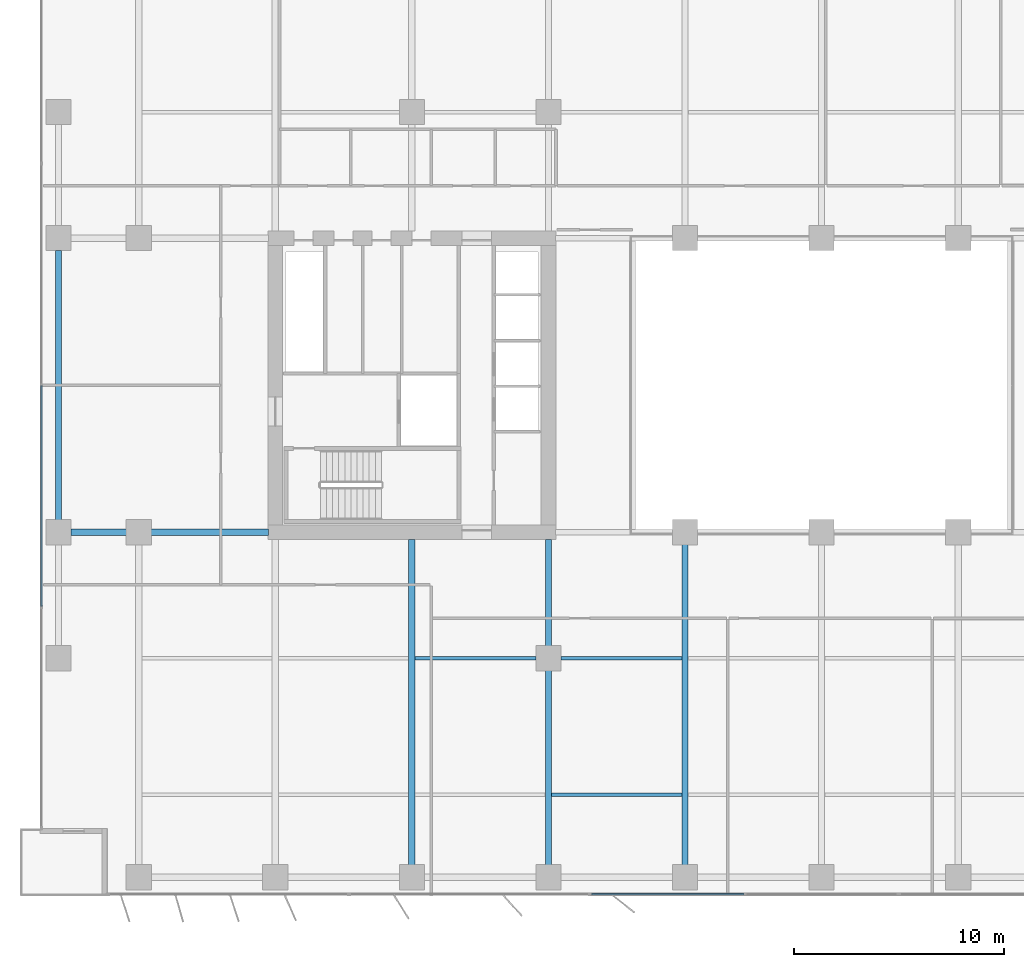
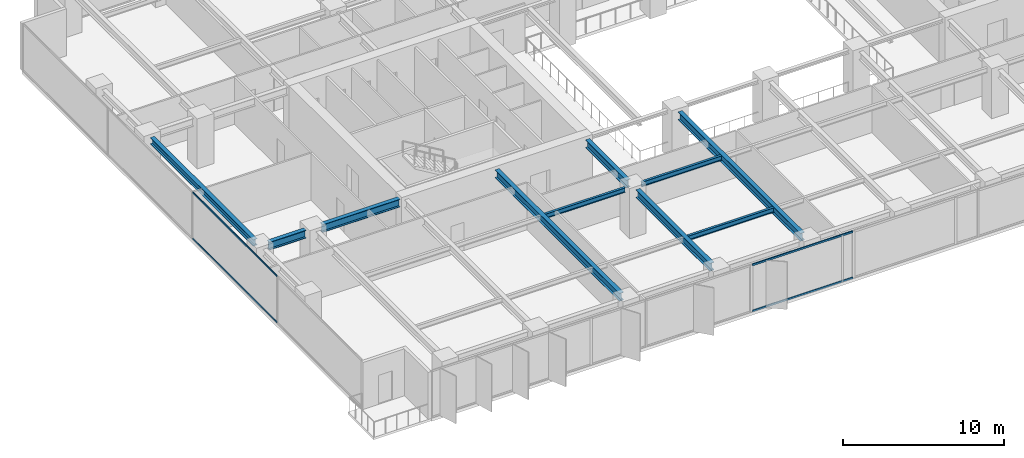
# One storey, part 3 of 20: 10 beams, 4 members, 2 elements without a shape of their own.
"""IFC4 building model written with IfcOpenShell, lengths in metres."""

import ifcopenshell
import ifcopenshell.guid

model = None  # the IFC model being written
_history = None  # IfcOwnerHistory: only IFC2X3 demands one
_inside = {}  # id of a spatial element -> (the spatial element, [elements in it])
_under = {}  # id of a project, library or spatial element -> (it, [spatial elements below it])
_declared = {}  # id of a project -> (the project, [libraries it declares])
_typed = {}  # id of a type object -> (the type object, [elements of that type])
_made_of = {}  # id of a material, layer set ... -> (it, [elements and type objects made of it])


def new_model(schema):
    """Start an empty IFC model of exactly this schema.

    Asked for "IFC4X3", IfcOpenShell would pick the latest addendum, in which some entities
    have other attributes; the version numbers below select the first issue.
    IFC2X3 requires an IfcOwnerHistory on every rooted entity: one is made here for all.
    """
    global model, _history
    if schema == "IFC4X3":
        model = ifcopenshell.file(schema_version=(4, 3, 0, 0))
    else:
        model = ifcopenshell.file(schema=schema)
    _inside.clear()
    _under.clear()
    _declared.clear()
    _typed.clear()
    _made_of.clear()
    _history = None
    if model.schema == "IFC2X3":
        org = make("IfcOrganization", Name="unknown")
        user = make(
            "IfcPersonAndOrganization",
            ThePerson=make("IfcPerson", FamilyName="unknown"),
            TheOrganization=org,
        )
        app = make(
            "IfcApplication",
            ApplicationDeveloper=org,
            Version="unknown",
            ApplicationFullName="unknown",
            ApplicationIdentifier="unknown",
        )
        _history = make(
            "IfcOwnerHistory",
            OwningUser=user,
            OwningApplication=app,
            ChangeAction="ADDED",
            CreationDate=0,
        )
    return model


def make(cls, **values):
    """One entity of the class cls with the attributes given. An attribute that is None is left unset."""
    return model.create_entity(
        cls, **{name: value for name, value in values.items() if value is not None}
    )


def rooted(cls, **values):
    """An entity with a GlobalId (a new one), such as an element, a storey or a relation."""
    return make(cls, GlobalId=ifcopenshell.guid.new(), OwnerHistory=_history, **values)


def si_unit(unit_type, name, prefix=None):
    """IfcSIUnit, for example si_unit("LENGTHUNIT", "METRE", prefix="MILLI")."""
    return make("IfcSIUnit", UnitType=unit_type, Prefix=prefix, Name=name)


def assignment(units):
    """IfcUnitAssignment: the units of a project."""
    return None if units is None else make("IfcUnitAssignment", Units=units)


def point(xyz):
    """IfcCartesianPoint."""
    return None if xyz is None else make("IfcCartesianPoint", Coordinates=xyz)


def direction(xyz):
    """IfcDirection."""
    return None if xyz is None else make("IfcDirection", DirectionRatios=xyz)


def frame(location, z_axis=None, x_axis=None):
    """IfcAxis2Placement3D, a coordinate frame: its origin and axes. An axis left out is left unset."""
    return make(
        "IfcAxis2Placement3D",
        Location=point(location),
        Axis=direction(z_axis),
        RefDirection=direction(x_axis),
    )


def frame_2d(location, x_axis=None):
    """IfcAxis2Placement2D, a coordinate frame in the plane: its origin and x axis."""
    return make(
        "IfcAxis2Placement2D", Location=point(location), RefDirection=direction(x_axis)
    )


def origin():
    """The frame at (0, 0, 0) with its axes left unset."""
    return frame((0.0, 0.0, 0.0))


def origin_2d():
    """The frame at (0, 0) in the plane with its x axis left unset."""
    return frame_2d((0.0, 0.0))


def place(relative_to, where):
    """IfcLocalPlacement: puts the frame where relative to a parent placement (None: the world)."""
    return make(
        "IfcLocalPlacement", PlacementRelTo=relative_to, RelativePlacement=where
    )


def context(
    kind, dimensions, precision=None, world=None, true_north=None, identifier=None
):
    """IfcGeometricRepresentationContext, for example the 3D "Model" context."""
    return make(
        "IfcGeometricRepresentationContext",
        ContextIdentifier=identifier,
        ContextType=kind,
        CoordinateSpaceDimension=dimensions,
        Precision=precision,
        WorldCoordinateSystem=world,
        TrueNorth=true_north,
    )


def subcontext(parent, identifier, kind, view, scale=None):
    """IfcGeometricRepresentationSubContext, for example "Body" below "Model"."""
    return make(
        "IfcGeometricRepresentationSubContext",
        ContextIdentifier=identifier,
        ContextType=kind,
        ParentContext=parent,
        TargetScale=scale,
        TargetView=view,
    )


def project(units=None, contexts=None):
    """IfcProject with its units and contexts."""
    return rooted(
        "IfcProject",
        Name="project",
        RepresentationContexts=contexts,
        UnitsInContext=assignment(units),
    )


def spatial(cls, under=None, at=None, **own):
    """A site, building, storey or space (cls), placed at a placement, below another one or the project."""
    s = rooted(cls, ObjectPlacement=at, **own)
    if under is not None:
        _under.setdefault(under.id(), (under, []))[1].append(s)
    return s


def profile(cls, at=None, kind="AREA", **sizes):
    """A parametric profile (cls). Its sizes go by their IFC names, for example OverallWidth=200.0."""
    return make(cls, ProfileType=kind, Position=at, **sizes)


def rectangle(**sizes):
    """IfcRectangleProfileDef."""
    return profile("IfcRectangleProfileDef", **sizes)


def i_section(**sizes):
    """IfcIShapeProfileDef."""
    return profile("IfcIShapeProfileDef", **sizes)


def extrude(swept, where, along, depth):
    """IfcExtrudedAreaSolid: the profile swept, set in the frame where, extruded along a direction by depth."""
    return make(
        "IfcExtrudedAreaSolid",
        SweptArea=swept,
        Position=where,
        ExtrudedDirection=direction(along),
        Depth=depth,
    )


def shape(context_of_items, identifier, shape_type, items):
    """IfcShapeRepresentation: the items that make up one representation, for example the "Body"."""
    return make(
        "IfcShapeRepresentation",
        ContextOfItems=context_of_items,
        RepresentationIdentifier=identifier,
        RepresentationType=shape_type,
        Items=items,
    )


def material(Name=None, Category=None):
    """IfcMaterial."""
    return make("IfcMaterial", Name=Name, Category=Category)


def layer(
    of_material, thickness, ventilated=None, Name=None, Category=None, Priority=None
):
    """IfcMaterialLayer: one layer of a wall or slab, of a material (None: an air gap)."""
    return make(
        "IfcMaterialLayer",
        Material=of_material,
        LayerThickness=thickness,
        IsVentilated=ventilated,
        Name=Name,
        Category=Category,
        Priority=Priority,
    )


def layer_set(layers, Name=None):
    """IfcMaterialLayerSet."""
    return make("IfcMaterialLayerSet", MaterialLayers=layers, LayerSetName=Name)


def material_profile(
    of_material, cross_section, Name=None, Category=None, Priority=None
):
    """IfcMaterialProfile: a cross section and its material."""
    return make(
        "IfcMaterialProfile",
        Name=Name,
        Material=of_material,
        Profile=cross_section,
        Priority=Priority,
        Category=Category,
    )


def profile_set(profiles, Name=None, composite=None):
    """IfcMaterialProfileSet."""
    return make(
        "IfcMaterialProfileSet",
        Name=Name,
        MaterialProfiles=profiles,
        CompositeProfile=composite,
    )


def made_of(thing, what):
    """Note that an element or type object is made of a material, layer set ...; save() writes the relation."""
    if what is not None:
        _made_of.setdefault(what.id(), (what, []))[1].append(thing)
    return thing


def type_object(cls, material=None, **own):
    """A type object (cls), such as IfcWallType, which elements share."""
    return made_of(rooted(cls, **own), material)


def element(
    cls,
    number,
    at=None,
    inside=None,
    cuts=None,
    type_object=None,
    material=None,
    context=None,
    identifier="Body",
    shape_type=None,
    held_by="IfcProductDefinitionShape",
    body=None,
    shapes=None,
    **own,
):
    """One element of the class cls, such as IfcWall. Its Tag is "e" and its number.

    at: its placement. inside: the storey or other place that contains it. cuts: it is an
    opening in that element (IfcRelVoidsElement). A single representation is given by context,
    identifier, shape_type and body (its items); several are given by shapes. held_by: the class
    of the entity that holds the representations. save() writes the other relations.
    """
    e = rooted(cls, Tag="e%d" % number, ObjectPlacement=at, **own)
    if body is not None:
        shapes = [shape(context, identifier, shape_type, body)]
    if shapes is not None:
        e.Representation = make(held_by, Representations=shapes)
    if inside is not None:
        _inside.setdefault(inside.id(), (inside, []))[1].append(e)
    if cuts is not None:
        rooted(
            "IfcRelVoidsElement", RelatingBuildingElement=cuts, RelatedOpeningElement=e
        )
    if type_object is not None:
        _typed.setdefault(type_object.id(), (type_object, []))[1].append(e)
    return made_of(e, material)


def aggregate(whole, parts):
    """IfcRelAggregates: a whole, such as a stair, and the parts it consists of."""
    return rooted("IfcRelAggregates", RelatingObject=whole, RelatedObjects=parts)


def save(model, path):
    """Write the relations noted so far, then the file.

    IfcRelAggregates (storeys below a building ...), IfcRelContainedInSpatialStructure (elements
    in a storey), IfcRelDefinesByType, IfcRelAssociatesMaterial and IfcRelDeclares: one each for
    every whole, place, type object, material and project.
    """
    for whole, parts in _under.values():
        aggregate(whole, parts)
    for where, things in _inside.values():
        rooted(
            "IfcRelContainedInSpatialStructure",
            RelatedElements=things,
            RelatingStructure=where,
        )
    for kind, things in _typed.values():
        rooted("IfcRelDefinesByType", RelatedObjects=things, RelatingType=kind)
    for what, things in _made_of.values():
        rooted("IfcRelAssociatesMaterial", RelatedObjects=things, RelatingMaterial=what)
    for by, libraries in _declared.values():
        rooted("IfcRelDeclares", RelatingContext=by, RelatedDefinitions=libraries)
    model.write(path)


model = new_model("IFC4")

# Units and contexts
model_context = context("Model", 3, precision=1e-05, world=origin(), true_north=direction((0.0, 1.0)))
body_context = subcontext(model_context, "Body", "Model", "MODEL_VIEW")
ifc_project = project(units=[si_unit("LENGTHUNIT", "METRE"), si_unit("AREAUNIT", "SQUARE_METRE"), si_unit("VOLUMEUNIT", "CUBIC_METRE"), si_unit("PLANEANGLEUNIT", "RADIAN"), si_unit("MASSUNIT", "GRAM", prefix="KILO")], contexts=[model_context])

# Site, building, storey
site_placement = place(None, origin())
site = spatial("IfcSite", under=ifc_project, at=site_placement, CompositionType="ELEMENT")
building_placement = place(site_placement, origin())
building = spatial("IfcBuilding", under=site, at=building_placement, Name="Putna Gate Headquarters", CompositionType="ELEMENT")
storey_placement = place(building_placement, frame((0.0, 0.0, 105.0)))
storey = spatial("IfcBuildingStorey", under=building, at=storey_placement, Name="L25", CompositionType="ELEMENT", Elevation=105.0)

# Beams
ifc_material_1 = material(Name="Steel S355J2", Category="steel")
ifc_material_profile_1 = material_profile(ifc_material_1, i_section(OverallWidth=0.300048828125, OverallDepth=0.60009765625, WebThickness=0.015380859375, FlangeThickness=0.030029296875, at=origin_2d()), Name="Steel S355J2")
ifc_profile_set_1 = profile_set([ifc_material_profile_1], Name="Steel S355J2")
beam_type_1 = type_object("IfcBeamType", Name="BM-GIRD-Z2-HEB600", PredefinedType="USERDEFINED", material=ifc_profile_set_1)
beam_1_placement = place(storey_placement, frame((3.26806640625, 19.0, 3.264892578125), z_axis=(1.0, 0.0, 0.0), x_axis=(0.0, 1.0, 0.0)))
element("IfcBeam", 1, at=beam_1_placement, inside=storey, type_object=beam_type_1, Name="L25 West Wing Girder Y19-1", ObjectType="GIRDER", PredefinedType="USERDEFINED", context=body_context, shape_type="SweptSolid", body=[
    extrude(i_section(OverallWidth=0.300048828125, OverallDepth=0.60009765625, WebThickness=0.015380859375, FlangeThickness=0.030029296875, at=origin_2d()), origin(), (0.0, 0.0, 1.0), 2.64404296875),
])
beam_2_placement = place(storey_placement, frame((7.087890625, 19.0, 3.264892578125), z_axis=(1.0, 0.0, 0.0), x_axis=(0.0, 1.0, 0.0)))
element("IfcBeam", 2, at=beam_2_placement, inside=storey, type_object=beam_type_1, Name="L25 West Wing Girder Y19-2", ObjectType="GIRDER", PredefinedType="USERDEFINED", context=body_context, shape_type="SweptSolid", body=[
    extrude(i_section(OverallWidth=0.300048828125, OverallDepth=0.60009765625, WebThickness=0.015380859375, FlangeThickness=0.030029296875, at=origin_2d()), origin(), (0.0, 0.0, 1.0), 5.5771484375),
])
beam_3_placement = place(storey_placement, frame((19.5, 3.16796875, 3.264892578125), z_axis=(0.0, 1.0, 0.0), x_axis=(-1.0, 0.0, 0.0)))
element("IfcBeam", 3, at=beam_3_placement, inside=storey, type_object=beam_type_1, Name="L25 South Primary Girder X19", ObjectType="GIRDER", PredefinedType="USERDEFINED", context=body_context, shape_type="SweptSolid", body=[
    extrude(i_section(OverallWidth=0.300048828125, OverallDepth=0.60009765625, WebThickness=0.015380859375, FlangeThickness=0.030029296875, at=origin_2d()), origin(), (0.0, 0.0, 1.0), 15.4970703125),
])
beam_4_placement = place(storey_placement, frame((26.0, 3.16796875, 3.264892578125), z_axis=(0.0, 1.0, 0.0), x_axis=(-1.0, 0.0, 0.0)))
element("IfcBeam", 4, at=beam_4_placement, inside=storey, type_object=beam_type_1, Name="L25 South Primary Girder X26-1", ObjectType="GIRDER", PredefinedType="USERDEFINED", context=body_context, shape_type="SweptSolid", body=[
    extrude(i_section(OverallWidth=0.300048828125, OverallDepth=0.60009765625, WebThickness=0.015380859375, FlangeThickness=0.030029296875, at=origin_2d()), origin(), (0.0, 0.0, 1.0), 9.244140625),
])
beam_5_placement = place(storey_placement, frame((26.0, 13.587890625, 3.264892578125), z_axis=(0.0, 1.0, 0.0), x_axis=(-1.0, 0.0, 0.0)))
element("IfcBeam", 5, at=beam_5_placement, inside=storey, type_object=beam_type_1, Name="L25 South Primary Girder X26-2", ObjectType="GIRDER", PredefinedType="USERDEFINED", context=body_context, shape_type="SweptSolid", body=[
    extrude(i_section(OverallWidth=0.300048828125, OverallDepth=0.60009765625, WebThickness=0.015380859375, FlangeThickness=0.030029296875, at=origin_2d()), origin(), (0.0, 0.0, 1.0), 5.0771484375),
])
beam_6_placement = place(storey_placement, frame((32.5, 3.16796875, 3.264892578125), z_axis=(0.0, 1.0, 0.0), x_axis=(-1.0, 0.0, 0.0)))
element("IfcBeam", 6, at=beam_6_placement, inside=storey, type_object=beam_type_1, Name="L25 South Primary Girder X32", ObjectType="GIRDER", PredefinedType="USERDEFINED", context=body_context, shape_type="SweptSolid", body=[
    extrude(i_section(OverallWidth=0.300048828125, OverallDepth=0.60009765625, WebThickness=0.015380859375, FlangeThickness=0.030029296875, at=origin_2d()), origin(), (0.0, 0.0, 1.0), 15.244140625),
])
ifc_material_profile_2 = material_profile(ifc_material_1, i_section(OverallWidth=0.169921875, OverallDepth=0.360107421875, WebThickness=0.008056640625, FlangeThickness=0.0126953125, at=origin_2d()), Name="Steel S355J2")
ifc_profile_set_2 = profile_set([ifc_material_profile_2], Name="Steel S355J2")
beam_type_2 = type_object("IfcBeamType", Name="BM-SEC-Z2-IPE360", PredefinedType="BEAM", material=ifc_profile_set_2)
beam_7_placement = place(storey_placement, frame((19.654052734375, 13.0, 3.385009765625), z_axis=(1.0, 0.0, 0.0), x_axis=(0.0, 1.0, 0.0)))
element("IfcBeam", 7, at=beam_7_placement, inside=storey, type_object=beam_type_2, Name="L25 South Secondary Beam 3", PredefinedType="BEAM", context=body_context, shape_type="SweptSolid", body=[
    extrude(i_section(OverallWidth=0.169921875, OverallDepth=0.360107421875, WebThickness=0.008056640625, FlangeThickness=0.0126953125, at=origin_2d()), origin(), (0.0, 0.0, 1.0), 5.758056640625),
])
beam_8_placement = place(storey_placement, frame((26.154052734375, 6.5, 3.385009765625), z_axis=(1.0, 0.0, 0.0), x_axis=(0.0, 1.0, 0.0)))
element("IfcBeam", 8, at=beam_8_placement, inside=storey, type_object=beam_type_2, Name="L25 South Secondary Beam 4", PredefinedType="BEAM", context=body_context, shape_type="SweptSolid", body=[
    extrude(i_section(OverallWidth=0.169921875, OverallDepth=0.360107421875, WebThickness=0.008056640625, FlangeThickness=0.0126953125, at=origin_2d()), origin(), (0.0, 0.0, 1.0), 6.19189453125),
])
beam_9_placement = place(storey_placement, frame((26.587890625, 13.0, 3.385009765625), z_axis=(1.0, 0.0, 0.0), x_axis=(0.0, 1.0, 0.0)))
element("IfcBeam", 9, at=beam_9_placement, inside=storey, type_object=beam_type_2, Name="L25 South Secondary Beam 4", PredefinedType="BEAM", context=body_context, shape_type="SweptSolid", body=[
    extrude(i_section(OverallWidth=0.169921875, OverallDepth=0.360107421875, WebThickness=0.008056640625, FlangeThickness=0.0126953125, at=origin_2d()), origin(), (0.0, 0.0, 1.0), 5.758056640625),
])
ifc_material_profile_3 = material_profile(ifc_material_1, i_section(OverallWidth=0.300048828125, OverallDepth=0.489990234375, WebThickness=0.011962890625, FlangeThickness=0.02294921875, at=origin_2d()), Name="Steel S355J2")
ifc_profile_set_3 = profile_set([ifc_material_profile_3], Name="Steel S355J2")
beam_type_3 = type_object("IfcBeamType", Name="BM-SPAN-Z2-HEA500", PredefinedType="SPANDREL", material=ifc_profile_set_3)
beam_10_placement = place(storey_placement, frame((2.679931640625, 19.587890625, 3.320068359375), z_axis=(0.0, 1.0, 0.0), x_axis=(-1.0, 0.0, 0.0)))
element("IfcBeam", 10, at=beam_10_placement, inside=storey, type_object=beam_type_3, Name="L25 W End Spandrel 2", PredefinedType="SPANDREL", context=body_context, shape_type="SweptSolid", body=[
    extrude(i_section(OverallWidth=0.300048828125, OverallDepth=0.489990234375, WebThickness=0.011962890625, FlangeThickness=0.02294921875, at=origin_2d()), origin(), (0.0, 0.0, 1.0), 12.82421875),
])

# Curtain wall, members
ifc_material_2 = material(Name="Anodised bronze aluminium curtain wall", Category="aluminium")
ifc_layer_1 = layer(ifc_material_2, 0.159912109375)
ifc_layer_set_1 = layer_set([ifc_layer_1], Name="Anodised bronze aluminium curtain wall")
curtain_wall_type_1 = type_object("IfcCurtainWallType", Name="CW-SYS-Z2", PredefinedType="USERDEFINED", material=ifc_layer_set_1)
curtain_wall_1_placement = place(storey_placement, origin())
curtain_wall_1 = element("IfcCurtainWall", 11, at=curtain_wall_1_placement, inside=storey, type_object=curtain_wall_type_1, Name="L25 West Curtain Wall", ObjectType="STICK CURTAIN WALL", PredefinedType="USERDEFINED")
ifc_material_3 = material(Name="Anodised bronze aluminium EN AW-6060", Category="aluminium")
ifc_material_profile_4 = material_profile(ifc_material_3, rectangle(XDim=0.06494140625, YDim=0.1201171875, at=origin_2d()), Name="Anodised bronze aluminium EN AW-6060")
ifc_profile_set_4 = profile_set([ifc_material_profile_4], Name="Anodised bronze aluminium EN AW-6060")
member_type_1 = type_object("IfcMemberType", Name="TRAN-CWT-2", PredefinedType="USERDEFINED", material=ifc_profile_set_4)
member_1_placement = place(storey_placement, frame((1.8798828125, 15.482421875, 0.032470703125), z_axis=(0.0, 1.0, 0.0), x_axis=(-1.0, 0.0, 0.0)))
member_1 = element("IfcMember", 12, at=member_1_placement, type_object=member_type_1, Name="CWS-2 transom 2.1", ObjectType="TRANSOM", PredefinedType="USERDEFINED", context=body_context, shape_type="SweptSolid", body=[
    extrude(rectangle(XDim=0.06494140625, YDim=0.1201171875, at=origin_2d()), origin(), (0.0, 0.0, 1.0), 10.485107421875),
])
member_2_placement = place(storey_placement, frame((1.8798828125, 15.482421875, 3.532470703125), z_axis=(0.0, 1.0, 0.0), x_axis=(-1.0, 0.0, 0.0)))
member_2 = element("IfcMember", 13, at=member_2_placement, type_object=member_type_1, Name="CWS-2 transom 2.2", ObjectType="TRANSOM", PredefinedType="USERDEFINED", context=body_context, shape_type="SweptSolid", body=[
    extrude(rectangle(XDim=0.06494140625, YDim=0.1201171875, at=origin_2d()), origin(), (0.0, 0.0, 1.0), 10.485107421875),
])
aggregate(curtain_wall_1, [member_1, member_2])

ifc_layer_2 = layer(ifc_material_2, 0.179931640625)
ifc_layer_set_2 = layer_set([ifc_layer_2], Name="Anodised bronze aluminium curtain wall")
curtain_wall_type_2 = type_object("IfcCurtainWallType", Name="CW-SYS-ATR", PredefinedType="USERDEFINED", material=ifc_layer_set_2)
curtain_wall_2_placement = place(storey_placement, origin())
curtain_wall_2 = element("IfcCurtainWall", 14, at=curtain_wall_2_placement, inside=storey, type_object=curtain_wall_type_2, Name="L25 South Atrium Clear Glazing", ObjectType="ATRIUM GLAZING", PredefinedType="USERDEFINED")
ifc_material_profile_5 = material_profile(ifc_material_3, rectangle(XDim=0.070068359375, YDim=0.139892578125, at=origin_2d()), Name="Anodised bronze aluminium EN AW-6060")
ifc_profile_set_5 = profile_set([ifc_material_profile_5], Name="Anodised bronze aluminium EN AW-6060")
member_type_2 = type_object("IfcMemberType", Name="TRAN-CWT-AT", PredefinedType="USERDEFINED", material=ifc_profile_set_5)
member_3_placement = place(storey_placement, frame((28.070068359375, 1.780029296875, 0.034912109375), z_axis=(1.0, 0.0, 0.0), x_axis=(0.0, 1.0, 0.0)))
member_3 = element("IfcMember", 15, at=member_3_placement, type_object=member_type_2, Name="CWS-AT transom 1.1", ObjectType="TRANSOM", PredefinedType="USERDEFINED", context=body_context, shape_type="SweptSolid", body=[
    extrude(rectangle(XDim=0.070068359375, YDim=0.139892578125, at=origin_2d()), origin(), (0.0, 0.0, 1.0), 7.228271484375),
])
member_4_placement = place(storey_placement, frame((28.070068359375, 1.780029296875, 3.530029296875), z_axis=(1.0, 0.0, 0.0), x_axis=(0.0, 1.0, 0.0)))
member_4 = element("IfcMember", 16, at=member_4_placement, type_object=member_type_2, Name="CWS-AT transom 1.2", ObjectType="TRANSOM", PredefinedType="USERDEFINED", context=body_context, shape_type="SweptSolid", body=[
    extrude(rectangle(XDim=0.070068359375, YDim=0.139892578125, at=origin_2d()), origin(), (0.0, 0.0, 1.0), 7.228271484375),
])
aggregate(curtain_wall_2, [member_3, member_4])

save(model, "model.ifc")
